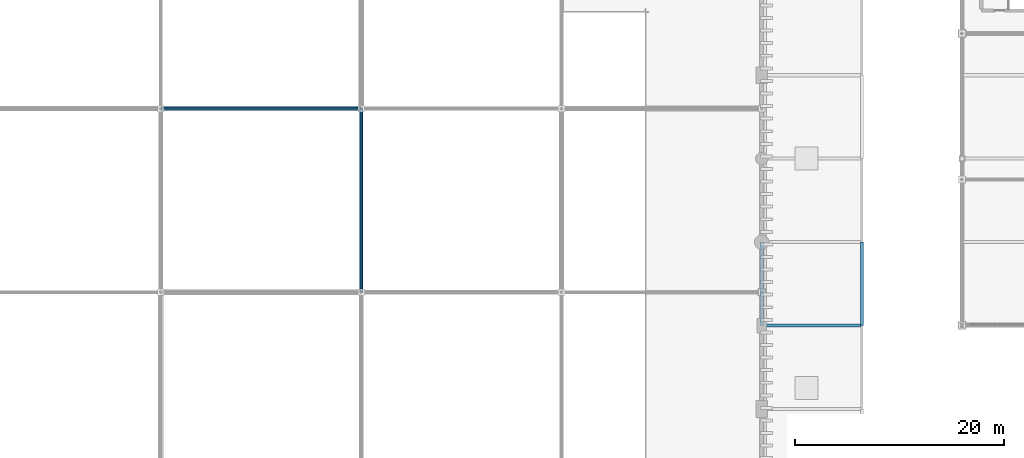
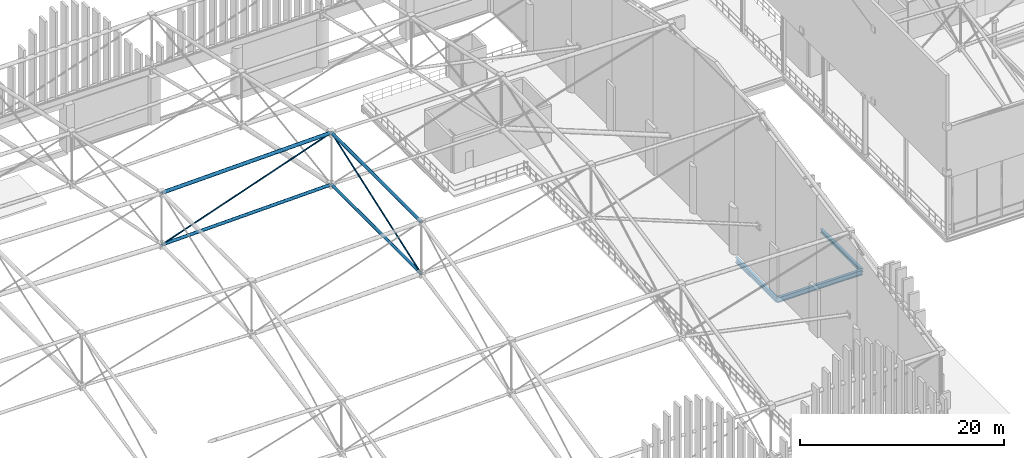
# One storey, part 67 of 193: 6 members, 3 beams.
"""IFC4 building model written with IfcOpenShell, lengths in metres."""

import ifcopenshell
import ifcopenshell.guid

model = None  # the IFC model being written
_history = None  # IfcOwnerHistory: only IFC2X3 demands one
_inside = {}  # id of a spatial element -> (the spatial element, [elements in it])
_under = {}  # id of a project, library or spatial element -> (it, [spatial elements below it])
_declared = {}  # id of a project -> (the project, [libraries it declares])
_typed = {}  # id of a type object -> (the type object, [elements of that type])
_made_of = {}  # id of a material, layer set ... -> (it, [elements and type objects made of it])


def new_model(schema):
    """Start an empty IFC model of exactly this schema.

    Asked for "IFC4X3", IfcOpenShell would pick the latest addendum, in which some entities
    have other attributes; the version numbers below select the first issue.
    IFC2X3 requires an IfcOwnerHistory on every rooted entity: one is made here for all.
    """
    global model, _history
    if schema == "IFC4X3":
        model = ifcopenshell.file(schema_version=(4, 3, 0, 0))
    else:
        model = ifcopenshell.file(schema=schema)
    _inside.clear()
    _under.clear()
    _declared.clear()
    _typed.clear()
    _made_of.clear()
    _history = None
    if model.schema == "IFC2X3":
        org = make("IfcOrganization", Name="unknown")
        user = make(
            "IfcPersonAndOrganization",
            ThePerson=make("IfcPerson", FamilyName="unknown"),
            TheOrganization=org,
        )
        app = make(
            "IfcApplication",
            ApplicationDeveloper=org,
            Version="unknown",
            ApplicationFullName="unknown",
            ApplicationIdentifier="unknown",
        )
        _history = make(
            "IfcOwnerHistory",
            OwningUser=user,
            OwningApplication=app,
            ChangeAction="ADDED",
            CreationDate=0,
        )
    return model


def make(cls, **values):
    """One entity of the class cls with the attributes given. An attribute that is None is left unset."""
    return model.create_entity(
        cls, **{name: value for name, value in values.items() if value is not None}
    )


def rooted(cls, **values):
    """An entity with a GlobalId (a new one), such as an element, a storey or a relation."""
    return make(cls, GlobalId=ifcopenshell.guid.new(), OwnerHistory=_history, **values)


def si_unit(unit_type, name, prefix=None):
    """IfcSIUnit, for example si_unit("LENGTHUNIT", "METRE", prefix="MILLI")."""
    return make("IfcSIUnit", UnitType=unit_type, Prefix=prefix, Name=name)


def assignment(units):
    """IfcUnitAssignment: the units of a project."""
    return None if units is None else make("IfcUnitAssignment", Units=units)


def point(xyz):
    """IfcCartesianPoint."""
    return None if xyz is None else make("IfcCartesianPoint", Coordinates=xyz)


def direction(xyz):
    """IfcDirection."""
    return None if xyz is None else make("IfcDirection", DirectionRatios=xyz)


def frame(location, z_axis=None, x_axis=None):
    """IfcAxis2Placement3D, a coordinate frame: its origin and axes. An axis left out is left unset."""
    return make(
        "IfcAxis2Placement3D",
        Location=point(location),
        Axis=direction(z_axis),
        RefDirection=direction(x_axis),
    )


def frame_2d(location, x_axis=None):
    """IfcAxis2Placement2D, a coordinate frame in the plane: its origin and x axis."""
    return make(
        "IfcAxis2Placement2D", Location=point(location), RefDirection=direction(x_axis)
    )


def origin():
    """The frame at (0, 0, 0) with its axes left unset."""
    return frame((0.0, 0.0, 0.0))


def origin_2d():
    """The frame at (0, 0) in the plane with its x axis left unset."""
    return frame_2d((0.0, 0.0))


def place(relative_to, where):
    """IfcLocalPlacement: puts the frame where relative to a parent placement (None: the world)."""
    return make(
        "IfcLocalPlacement", PlacementRelTo=relative_to, RelativePlacement=where
    )


def context(
    kind, dimensions, precision=None, world=None, true_north=None, identifier=None
):
    """IfcGeometricRepresentationContext, for example the 3D "Model" context."""
    return make(
        "IfcGeometricRepresentationContext",
        ContextIdentifier=identifier,
        ContextType=kind,
        CoordinateSpaceDimension=dimensions,
        Precision=precision,
        WorldCoordinateSystem=world,
        TrueNorth=true_north,
    )


def subcontext(parent, identifier, kind, view, scale=None):
    """IfcGeometricRepresentationSubContext, for example "Body" below "Model"."""
    return make(
        "IfcGeometricRepresentationSubContext",
        ContextIdentifier=identifier,
        ContextType=kind,
        ParentContext=parent,
        TargetScale=scale,
        TargetView=view,
    )


def project(units=None, contexts=None):
    """IfcProject with its units and contexts."""
    return rooted(
        "IfcProject",
        Name="project",
        RepresentationContexts=contexts,
        UnitsInContext=assignment(units),
    )


def spatial(cls, under=None, at=None, **own):
    """A site, building, storey or space (cls), placed at a placement, below another one or the project."""
    s = rooted(cls, ObjectPlacement=at, **own)
    if under is not None:
        _under.setdefault(under.id(), (under, []))[1].append(s)
    return s


def profile(cls, at=None, kind="AREA", **sizes):
    """A parametric profile (cls). Its sizes go by their IFC names, for example OverallWidth=200.0."""
    return make(cls, ProfileType=kind, Position=at, **sizes)


def hollow_circle(**sizes):
    """IfcCircleHollowProfileDef."""
    return profile("IfcCircleHollowProfileDef", **sizes)


def i_section(**sizes):
    """IfcIShapeProfileDef."""
    return profile("IfcIShapeProfileDef", **sizes)


def extrude(swept, where, along, depth):
    """IfcExtrudedAreaSolid: the profile swept, set in the frame where, extruded along a direction by depth."""
    return make(
        "IfcExtrudedAreaSolid",
        SweptArea=swept,
        Position=where,
        ExtrudedDirection=direction(along),
        Depth=depth,
    )


def shape(context_of_items, identifier, shape_type, items):
    """IfcShapeRepresentation: the items that make up one representation, for example the "Body"."""
    return make(
        "IfcShapeRepresentation",
        ContextOfItems=context_of_items,
        RepresentationIdentifier=identifier,
        RepresentationType=shape_type,
        Items=items,
    )


def material(Name=None, Category=None):
    """IfcMaterial."""
    return make("IfcMaterial", Name=Name, Category=Category)


def material_profile(
    of_material, cross_section, Name=None, Category=None, Priority=None
):
    """IfcMaterialProfile: a cross section and its material."""
    return make(
        "IfcMaterialProfile",
        Name=Name,
        Material=of_material,
        Profile=cross_section,
        Priority=Priority,
        Category=Category,
    )


def profile_set(profiles, Name=None, composite=None):
    """IfcMaterialProfileSet."""
    return make(
        "IfcMaterialProfileSet",
        Name=Name,
        MaterialProfiles=profiles,
        CompositeProfile=composite,
    )


def made_of(thing, what):
    """Note that an element or type object is made of a material, layer set ...; save() writes the relation."""
    if what is not None:
        _made_of.setdefault(what.id(), (what, []))[1].append(thing)
    return thing


def type_object(cls, material=None, **own):
    """A type object (cls), such as IfcWallType, which elements share."""
    return made_of(rooted(cls, **own), material)


def element(
    cls,
    number,
    at=None,
    inside=None,
    cuts=None,
    type_object=None,
    material=None,
    context=None,
    identifier="Body",
    shape_type=None,
    held_by="IfcProductDefinitionShape",
    body=None,
    shapes=None,
    **own,
):
    """One element of the class cls, such as IfcWall. Its Tag is "e" and its number.

    at: its placement. inside: the storey or other place that contains it. cuts: it is an
    opening in that element (IfcRelVoidsElement). A single representation is given by context,
    identifier, shape_type and body (its items); several are given by shapes. held_by: the class
    of the entity that holds the representations. save() writes the other relations.
    """
    e = rooted(cls, Tag="e%d" % number, ObjectPlacement=at, **own)
    if body is not None:
        shapes = [shape(context, identifier, shape_type, body)]
    if shapes is not None:
        e.Representation = make(held_by, Representations=shapes)
    if inside is not None:
        _inside.setdefault(inside.id(), (inside, []))[1].append(e)
    if cuts is not None:
        rooted(
            "IfcRelVoidsElement", RelatingBuildingElement=cuts, RelatedOpeningElement=e
        )
    if type_object is not None:
        _typed.setdefault(type_object.id(), (type_object, []))[1].append(e)
    return made_of(e, material)


def aggregate(whole, parts):
    """IfcRelAggregates: a whole, such as a stair, and the parts it consists of."""
    return rooted("IfcRelAggregates", RelatingObject=whole, RelatedObjects=parts)


def save(model, path):
    """Write the relations noted so far, then the file.

    IfcRelAggregates (storeys below a building ...), IfcRelContainedInSpatialStructure (elements
    in a storey), IfcRelDefinesByType, IfcRelAssociatesMaterial and IfcRelDeclares: one each for
    every whole, place, type object, material and project.
    """
    for whole, parts in _under.values():
        aggregate(whole, parts)
    for where, things in _inside.values():
        rooted(
            "IfcRelContainedInSpatialStructure",
            RelatedElements=things,
            RelatingStructure=where,
        )
    for kind, things in _typed.values():
        rooted("IfcRelDefinesByType", RelatedObjects=things, RelatingType=kind)
    for what, things in _made_of.values():
        rooted("IfcRelAssociatesMaterial", RelatedObjects=things, RelatingMaterial=what)
    for by, libraries in _declared.values():
        rooted("IfcRelDeclares", RelatingContext=by, RelatedDefinitions=libraries)
    model.write(path)


model = new_model("IFC4")

# Units and contexts
model_context = context("Model", 3, precision=1e-05, world=origin(), true_north=direction((0.0, 1.0)))
body_context = subcontext(model_context, "Body", "Model", "MODEL_VIEW")
ifc_project = project(units=[si_unit("LENGTHUNIT", "METRE"), si_unit("AREAUNIT", "SQUARE_METRE"), si_unit("VOLUMEUNIT", "CUBIC_METRE"), si_unit("PLANEANGLEUNIT", "RADIAN"), si_unit("MASSUNIT", "GRAM", prefix="KILO")], contexts=[model_context])

# Site, building, storey
site_placement = place(None, origin())
site = spatial("IfcSite", under=ifc_project, at=site_placement, CompositionType="ELEMENT")
building_placement = place(site_placement, origin())
building = spatial("IfcBuilding", under=site, at=building_placement, Name="Danafjord Basin Convention Centre", CompositionType="ELEMENT")
storey_placement = place(building_placement, frame((0.0, 0.0, 11.39990234375)))
storey = spatial("IfcBuildingStorey", under=building, at=storey_placement, Name="L02", CompositionType="ELEMENT", Elevation=11.39990234375)

# Beams
ifc_material = material(Name="Steel S355", Category="steel")
ifc_material_profile_1 = material_profile(ifc_material, i_section(OverallWidth=0.300048828125, OverallDepth=0.60009765625, WebThickness=0.015380859375, FlangeThickness=0.030029296875, FilletRadius=0.027099609375, at=origin_2d()), Name="HEB 600")
ifc_profile_set_1 = profile_set([ifc_material_profile_1], Name="Steel S355")
beam_type_1 = type_object("IfcBeamType", Name="BEAM-BM-HEB600", PredefinedType="BEAM", material=ifc_profile_set_1)
beam_1_placement = place(storey_placement, frame((115.199951171875, 88.0, -0.96484375), z_axis=(1.0, 0.0, 0.0), x_axis=(0.0, 1.0, 0.0)))
element("IfcBeam", 1, at=beam_1_placement, inside=storey, type_object=beam_type_1, Name="L02 girder BM-HEB600", PredefinedType="BEAM", context=body_context, shape_type="SweptSolid", body=[
    extrude(i_section(OverallWidth=0.300048828125, OverallDepth=0.60009765625, WebThickness=0.015380859375, FlangeThickness=0.030029296875, FilletRadius=0.027099609375, at=origin_2d()), origin(), (0.0, 0.0, 1.0), 9.60009765625),
])
beam_2_placement = place(storey_placement, frame((115.199951171875, 88.0, -0.96484375), z_axis=(0.0, 1.0, 0.0), x_axis=(-1.0, 0.0, 0.0)))
element("IfcBeam", 2, at=beam_2_placement, inside=storey, type_object=beam_type_1, Name="L02 transverse girder BM-HEB600", PredefinedType="BEAM", context=body_context, shape_type="SweptSolid", body=[
    extrude(i_section(OverallWidth=0.300048828125, OverallDepth=0.60009765625, WebThickness=0.015380859375, FlangeThickness=0.030029296875, FilletRadius=0.027099609375, at=origin_2d()), origin(), (0.0, 0.0, 1.0), 8.0),
])
ifc_material_profile_2 = material_profile(ifc_material, i_section(OverallWidth=0.300048828125, OverallDepth=0.39990234375, WebThickness=0.013427734375, FlangeThickness=0.02392578125, FilletRadius=0.027099609375, at=origin_2d()), Name="HEB 400")
ifc_profile_set_2 = profile_set([ifc_material_profile_2], Name="Steel S355")
beam_type_2 = type_object("IfcBeamType", Name="BEAM-SP-HEB400", PredefinedType="SPANDREL", material=ifc_profile_set_2)
beam_3_placement = place(storey_placement, frame((124.800048828125, 88.0, -0.864990234375), z_axis=(0.0, 1.0, 0.0), x_axis=(-1.0, 0.0, 0.0)))
element("IfcBeam", 3, at=beam_3_placement, inside=storey, type_object=beam_type_2, Name="L02 transverse girder SP-HEB400", PredefinedType="SPANDREL", context=body_context, shape_type="SweptSolid", body=[
    extrude(i_section(OverallWidth=0.300048828125, OverallDepth=0.39990234375, WebThickness=0.013427734375, FlangeThickness=0.02392578125, FilletRadius=0.027099609375, at=origin_2d()), origin(), (0.0, 0.0, 1.0), 8.0),
])

# Members
ifc_material_profile_3 = material_profile(ifc_material, hollow_circle(Radius=0.161865234375, WallThickness=0.01611328125, at=origin_2d()), Name="CHS 323.9x16.0")
ifc_profile_set_3 = profile_set([ifc_material_profile_3], Name="Steel S355")
member_type_1 = type_object("IfcMemberType", Name="MEM-CH-CHS324", PredefinedType="CHORD", material=ifc_profile_set_3)
member_1_placement = place(storey_placement, frame((76.800048828125, 91.199951171875, 13.655517578125), z_axis=(0.0, 1.0, 0.0), x_axis=(-1.0, 0.0, 0.0)))
element("IfcMember", 4, at=member_1_placement, inside=storey, type_object=member_type_1, Name="V1 roof truss transverse bottom chord", PredefinedType="CHORD", context=body_context, shape_type="SweptSolid", body=[
    extrude(hollow_circle(Radius=0.161865234375, WallThickness=0.01611328125, at=origin_2d()), origin(), (0.0, 0.0, 1.0), 17.60009765625),
])
ifc_material_profile_4 = material_profile(ifc_material, hollow_circle(Radius=0.177734375, WallThickness=0.01611328125, at=origin_2d()), Name="CHS 355.6x16.0")
ifc_profile_set_4 = profile_set([ifc_material_profile_4], Name="Steel S355")
member_type_2 = type_object("IfcMemberType", Name="MEM-CH-CHS355", PredefinedType="CHORD", material=ifc_profile_set_4)
member_2_placement = place(storey_placement, frame((57.60009765625, 108.800048828125, 13.160400390625), z_axis=(0.999667670246, 0.0, 0.02577884917), x_axis=(0.0, 1.0, 0.0)))
element("IfcMember", 5, at=member_2_placement, inside=storey, type_object=member_type_2, Name="V1 roof truss longitudinal bottom chord", PredefinedType="CHORD", context=body_context, shape_type="SweptSolid", body=[
    extrude(hollow_circle(Radius=0.177734375, WallThickness=0.01611328125, at=origin_2d()), origin(), (0.0, 0.0, 1.0), 19.206298828125),
])
member_3_placement = place(storey_placement, frame((76.800048828125, 91.199951171875, 19.85546875), z_axis=(0.0, 1.0, 0.0), x_axis=(-1.0, 0.0, 0.0)))
element("IfcMember", 6, at=member_3_placement, inside=storey, type_object=member_type_2, Name="V1 roof truss transverse top chord", PredefinedType="CHORD", context=body_context, shape_type="SweptSolid", body=[
    extrude(hollow_circle(Radius=0.177734375, WallThickness=0.01611328125, at=origin_2d()), origin(), (0.0, 0.0, 1.0), 17.60009765625),
])
ifc_material_profile_5 = material_profile(ifc_material, hollow_circle(Radius=0.203125, WallThickness=0.02001953125, at=origin_2d()), Name="CHS 406.4x20.0")
ifc_profile_set_5 = profile_set([ifc_material_profile_5], Name="Steel S355")
member_type_3 = type_object("IfcMemberType", Name="MEM-CH-CHS406", PredefinedType="CHORD", material=ifc_profile_set_5)
member_4_placement = place(storey_placement, frame((57.60009765625, 108.800048828125, 19.360595703125), z_axis=(0.999667997744, 0.0, 0.025766146147), x_axis=(0.0, 1.0, 0.0)))
element("IfcMember", 7, at=member_4_placement, inside=storey, type_object=member_type_3, Name="V1 roof truss longitudinal top chord", PredefinedType="CHORD", context=body_context, shape_type="SweptSolid", body=[
    extrude(hollow_circle(Radius=0.203125, WallThickness=0.02001953125, at=origin_2d()), origin(), (0.0, 0.0, 1.0), 19.206298828125),
])
ifc_material_profile_6 = material_profile(ifc_material, hollow_circle(Radius=0.084228515625, WallThickness=0.008056640625, at=origin_2d()), Name="CHS 168.3x8.0")
ifc_profile_set_6 = profile_set([ifc_material_profile_6], Name="Steel S355")
member_type_4 = type_object("IfcMemberType", Name="MEM-WB-CHS168", PredefinedType="MEMBER", material=ifc_profile_set_6)
member_5_placement = place(storey_placement, frame((57.60009765625, 108.800048828125, 13.160400390625), z_axis=(0.944239772286, 0.0, 0.329258640634), x_axis=(0.0, 1.0, 0.0)))
element("IfcMember", 8, at=member_5_placement, inside=storey, type_object=member_type_4, Name="V1 space-frame longitudinal web", PredefinedType="MEMBER", context=body_context, shape_type="SweptSolid", body=[
    extrude(hollow_circle(Radius=0.084228515625, WallThickness=0.008056640625, at=origin_2d()), origin(), (0.0, 0.0, 1.0), 20.333740234375),
])
member_6_placement = place(storey_placement, frame((76.800048828125, 91.199951171875, 13.655517578125), z_axis=(0.0, 0.943189436311, 0.33225545478), x_axis=(-1.0, 0.0, 0.0)))
element("IfcMember", 9, at=member_6_placement, inside=storey, type_object=member_type_4, Name="V1 space-frame transverse web", PredefinedType="MEMBER", context=body_context, shape_type="SweptSolid", body=[
    extrude(hollow_circle(Radius=0.084228515625, WallThickness=0.008056640625, at=origin_2d()), origin(), (0.0, 0.0, 1.0), 18.66015625),
])

save(model, "model.ifc")
